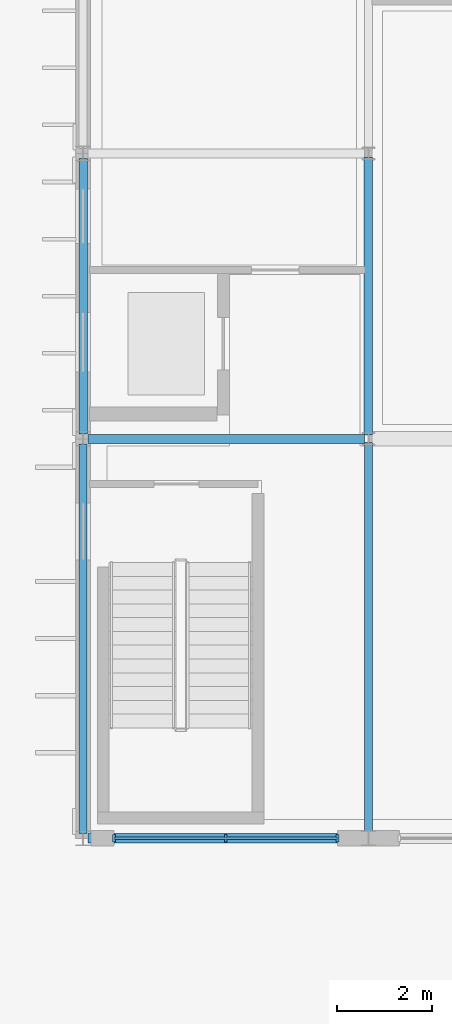
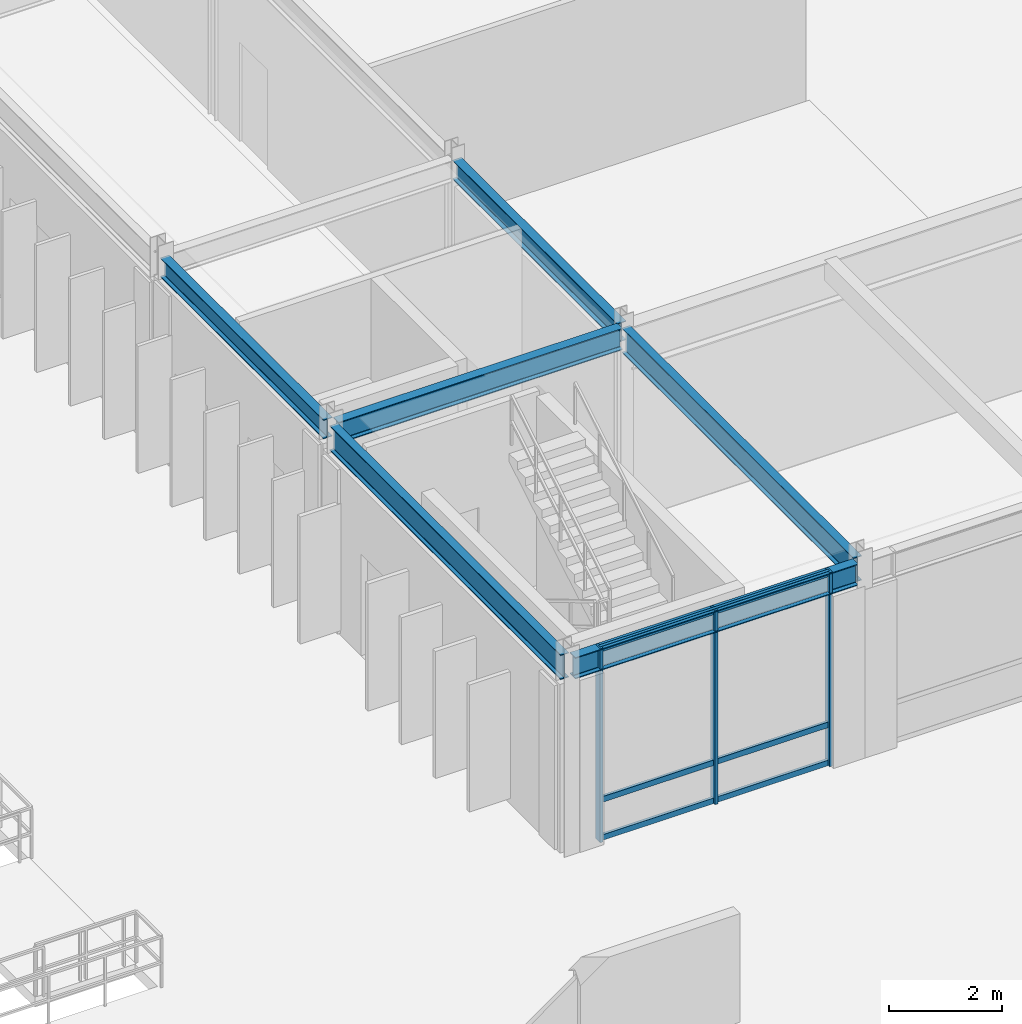
# One storey, part 12 of 67: 6 beams, 6 members, 1 element without a shape of its own.
"""IFC4 building model written with IfcOpenShell, lengths in metres."""

from ifc_helpers import new_model, si_unit, direction, frame, origin, origin_2d, place, context, subcontext, project, spatial, rectangle, i_section, extrude, material, material_profile, profile_set, type_object, element, aggregate, save


model = new_model("IFC4")

# Units and contexts
model_context = context("Model", 3, precision=1e-05, world=origin(), true_north=direction((0.0, 1.0)))
body_context = subcontext(model_context, "Body", "Model", "MODEL_VIEW")
ifc_project = project(units=[si_unit("LENGTHUNIT", "METRE"), si_unit("AREAUNIT", "SQUARE_METRE"), si_unit("VOLUMEUNIT", "CUBIC_METRE"), si_unit("PLANEANGLEUNIT", "RADIAN"), si_unit("MASSUNIT", "GRAM", prefix="KILO"), si_unit("THERMODYNAMICTEMPERATUREUNIT", "KELVIN")], contexts=[model_context])

# Site, building, storey
site_placement = place(None, origin())
site = spatial("IfcSite", under=ifc_project, at=site_placement, CompositionType="ELEMENT")
building_placement = place(site_placement, origin())
building = spatial("IfcBuilding", under=site, at=building_placement, Name="Thalorik Housing Commons", CompositionType="ELEMENT")
storey_placement = place(building_placement, origin())
storey = spatial("IfcBuildingStorey", under=building, at=storey_placement, Name="L00", CompositionType="ELEMENT", Elevation=0.0)

# Curtain wall, members
ifc_material_1 = material(Name="Anodised aluminium and solar-control low-E glass", Category="aluminium")
curtain_wall_type = type_object("IfcCurtainWallType", Name="ARC-CW-CIVIC", PredefinedType="USERDEFINED", material=ifc_material_1)
curtain_wall_placement = place(storey_placement, origin())
curtain_wall = element("IfcCurtainWall", 1, at=curtain_wall_placement, inside=storey, type_object=curtain_wall_type, Name="L00 Curtain Wall CW-HALL-L00-209", ObjectType="CURTAIN WALL", PredefinedType="USERDEFINED")
ifc_material_2 = material(Name="Anodised aluminium 6063-T6", Category="aluminium")
ifc_material_profile_1 = material_profile(ifc_material_2, rectangle(XDim=0.06005859375, YDim=0.159912109375, at=origin_2d()), Name="ALU MUL 60x160", Category="aluminium")
ifc_profile_set_1 = profile_set([ifc_material_profile_1], Name="Anodised aluminium 6063-T6")
member_type_1 = type_object("IfcMemberType", Name="ARC-CW-MUL-60x160", PredefinedType="MULLION", material=ifc_profile_set_1)
member_1_placement = place(storey_placement, frame((66.64990234375, 57.60009765625, 0.0), z_axis=(0.0, 0.0, 1.0), x_axis=(1.0, 0.0, 0.0)))
member_1 = element("IfcMember", 2, at=member_1_placement, type_object=member_type_1, Name="CW-HALL-L00-209 Mullion 1", PredefinedType="MULLION", context=body_context, shape_type="SweptSolid", body=[
    extrude(rectangle(XDim=0.06005859375, YDim=0.159912109375, at=origin_2d()), origin(), (0.0, 0.0, 1.0), 4.199951171875),
])
member_2_placement = place(storey_placement, frame((69.0, 57.60009765625, 0.0), z_axis=(0.0, 0.0, 1.0), x_axis=(1.0, 0.0, 0.0)))
member_2 = element("IfcMember", 3, at=member_2_placement, type_object=member_type_1, Name="CW-HALL-L00-209 Mullion 2", PredefinedType="MULLION", context=body_context, shape_type="SweptSolid", body=[
    extrude(rectangle(XDim=0.06005859375, YDim=0.159912109375, at=origin_2d()), origin(), (0.0, 0.0, 1.0), 4.199951171875),
])
member_3_placement = place(storey_placement, frame((71.35009765625, 57.60009765625, 0.0), z_axis=(0.0, 0.0, 1.0), x_axis=(1.0, 0.0, 0.0)))
member_3 = element("IfcMember", 4, at=member_3_placement, type_object=member_type_1, Name="CW-HALL-L00-209 Mullion 3", PredefinedType="MULLION", context=body_context, shape_type="SweptSolid", body=[
    extrude(rectangle(XDim=0.06005859375, YDim=0.159912109375, at=origin_2d()), origin(), (0.0, 0.0, 1.0), 4.199951171875),
])
ifc_material_profile_2 = material_profile(ifc_material_2, rectangle(XDim=0.06005859375, YDim=0.1201171875, at=origin_2d()), Name="ALU TRN 60x120", Category="aluminium")
ifc_profile_set_2 = profile_set([ifc_material_profile_2], Name="Anodised aluminium 6063-T6")
member_type_2 = type_object("IfcMemberType", Name="ARC-CW-TRN-60x120", PredefinedType="USERDEFINED", material=ifc_profile_set_2)
member_4_placement = place(storey_placement, frame((66.64990234375, 57.60009765625, 0.054931640625), z_axis=(1.0, 0.0, 0.0), x_axis=(0.0, 1.0, 0.0)))
member_4 = element("IfcMember", 5, at=member_4_placement, type_object=member_type_2, Name="CW-HALL-L00-209 Transom 1", ObjectType="TRANSOM", PredefinedType="USERDEFINED", context=body_context, shape_type="SweptSolid", body=[
    extrude(rectangle(XDim=0.06005859375, YDim=0.1201171875, at=origin_2d()), origin(), (0.0, 0.0, 1.0), 4.7001953125),
])
member_5_placement = place(storey_placement, frame((66.64990234375, 57.60009765625, 0.8798828125), z_axis=(1.0, 0.0, 0.0), x_axis=(0.0, 1.0, 0.0)))
member_5 = element("IfcMember", 6, at=member_5_placement, type_object=member_type_2, Name="CW-HALL-L00-209 Transom 2", ObjectType="TRANSOM", PredefinedType="USERDEFINED", context=body_context, shape_type="SweptSolid", body=[
    extrude(rectangle(XDim=0.06005859375, YDim=0.1201171875, at=origin_2d()), origin(), (0.0, 0.0, 1.0), 4.7001953125),
])
member_6_placement = place(storey_placement, frame((66.64990234375, 57.60009765625, 4.14501953125), z_axis=(1.0, 0.0, 0.0), x_axis=(0.0, 1.0, 0.0)))
member_6 = element("IfcMember", 7, at=member_6_placement, type_object=member_type_2, Name="CW-HALL-L00-209 Transom 3", ObjectType="TRANSOM", PredefinedType="USERDEFINED", context=body_context, shape_type="SweptSolid", body=[
    extrude(rectangle(XDim=0.06005859375, YDim=0.1201171875, at=origin_2d()), origin(), (0.0, 0.0, 1.0), 4.7001953125),
])
aggregate(curtain_wall, [member_1, member_2, member_3, member_4, member_5, member_6])

# Beams
ifc_material_3 = material(Name="Steel S355", Category="steel")
ifc_material_profile_3 = material_profile(ifc_material_3, i_section(OverallWidth=0.179931640625, OverallDepth=0.4130859375, WebThickness=0.009765625, FlangeThickness=0.01611328125, FilletRadius=0.010986328125, at=origin_2d()), Name="W410x75", Category="steel")
ifc_profile_set_3 = profile_set([ifc_material_profile_3], Name="Steel S355")
beam_type_1 = type_object("IfcBeamType", Name="STR-BM-W410x75", PredefinedType="BEAM", material=ifc_profile_set_3)
beam_1_placement = place(storey_placement, frame((66.0, 66.10400390625, 3.993408203125), z_axis=(0.0, 1.0, 0.0), x_axis=(-1.0, 0.0, 0.0)))
element("IfcBeam", 8, at=beam_1_placement, inside=storey, type_object=beam_type_1, Name="L00 Beam SB-410", PredefinedType="BEAM", context=body_context, shape_type="SweptSolid", body=[
    extrude(i_section(OverallWidth=0.179931640625, OverallDepth=0.4130859375, WebThickness=0.009765625, FlangeThickness=0.01611328125, FilletRadius=0.010986328125, at=origin_2d()), origin(), (0.0, 0.0, 1.0), 5.7919921875),
])
beam_2_placement = place(storey_placement, frame((72.0, 66.076904296875, 3.993408203125), z_axis=(0.0, 1.0, 0.0), x_axis=(-1.0, 0.0, 0.0)))
element("IfcBeam", 9, at=beam_2_placement, inside=storey, type_object=beam_type_1, Name="L00 Beam SB-410", PredefinedType="BEAM", context=body_context, shape_type="SweptSolid", body=[
    extrude(i_section(OverallWidth=0.179931640625, OverallDepth=0.4130859375, WebThickness=0.009765625, FlangeThickness=0.01611328125, FilletRadius=0.010986328125, at=origin_2d()), origin(), (0.0, 0.0, 1.0), 5.84619140625),
])
ifc_material_profile_4 = material_profile(ifc_material_3, i_section(OverallWidth=0.19189453125, OverallDepth=0.462890625, WebThickness=0.010498046875, FlangeThickness=0.017578125, FilletRadius=0.011962890625, at=origin_2d()), Name="W460x89", Category="steel")
ifc_profile_set_4 = profile_set([ifc_material_profile_4], Name="Steel S355")
beam_type_2 = type_object("IfcBeamType", Name="STR-BM-W460x89", PredefinedType="BEAM", material=ifc_profile_set_4)
beam_3_placement = place(storey_placement, frame((66.10498046875, 57.60009765625, 3.968505859375), z_axis=(1.0, 0.0, 0.0), x_axis=(0.0, 1.0, 0.0)))
element("IfcBeam", 10, at=beam_3_placement, inside=storey, type_object=beam_type_2, Name="L00 Beam SB-460", PredefinedType="BEAM", context=body_context, shape_type="SweptSolid", body=[
    extrude(i_section(OverallWidth=0.19189453125, OverallDepth=0.462890625, WebThickness=0.010498046875, FlangeThickness=0.017578125, FilletRadius=0.011962890625, at=origin_2d()), origin(), (0.0, 0.0, 1.0), 5.7900390625),
])
beam_4_placement = place(storey_placement, frame((66.10498046875, 66.0, 3.968505859375), z_axis=(1.0, 0.0, 0.0), x_axis=(0.0, 1.0, 0.0)))
element("IfcBeam", 11, at=beam_4_placement, inside=storey, type_object=beam_type_2, Name="L00 Beam SB-460", PredefinedType="BEAM", context=body_context, shape_type="SweptSolid", body=[
    extrude(i_section(OverallWidth=0.19189453125, OverallDepth=0.462890625, WebThickness=0.010498046875, FlangeThickness=0.017578125, FilletRadius=0.011962890625, at=origin_2d()), origin(), (0.0, 0.0, 1.0), 5.81494140625),
])
ifc_material_profile_5 = material_profile(ifc_material_3, i_section(OverallWidth=0.166015625, OverallDepth=0.534912109375, WebThickness=0.01025390625, FlangeThickness=0.0166015625, FilletRadius=0.012939453125, at=origin_2d()), Name="W530x85", Category="steel")
ifc_profile_set_5 = profile_set([ifc_material_profile_5], Name="Steel S355")
beam_type_3 = type_object("IfcBeamType", Name="STR-BM-W530x85", PredefinedType="BEAM", material=ifc_profile_set_5)
beam_5_placement = place(storey_placement, frame((66.0, 57.7041015625, 3.9326171875), z_axis=(0.0, 1.0, 0.0), x_axis=(-1.0, 0.0, 0.0)))
element("IfcBeam", 12, at=beam_5_placement, inside=storey, type_object=beam_type_3, Name="L00 Beam SB-535", PredefinedType="BEAM", context=body_context, shape_type="SweptSolid", body=[
    extrude(i_section(OverallWidth=0.166015625, OverallDepth=0.534912109375, WebThickness=0.01025390625, FlangeThickness=0.0166015625, FilletRadius=0.012939453125, at=origin_2d()), origin(), (0.0, 0.0, 1.0), 8.19189453125),
])
beam_6_placement = place(storey_placement, frame((72.0, 57.7041015625, 3.9326171875), z_axis=(0.0, 1.0, 0.0), x_axis=(-1.0, 0.0, 0.0)))
element("IfcBeam", 13, at=beam_6_placement, inside=storey, type_object=beam_type_3, Name="L00 Beam SB-535", PredefinedType="BEAM", context=body_context, shape_type="SweptSolid", body=[
    extrude(i_section(OverallWidth=0.166015625, OverallDepth=0.534912109375, WebThickness=0.01025390625, FlangeThickness=0.0166015625, FilletRadius=0.012939453125, at=origin_2d()), origin(), (0.0, 0.0, 1.0), 8.218994140625),
])

save(model, "model.ifc")
